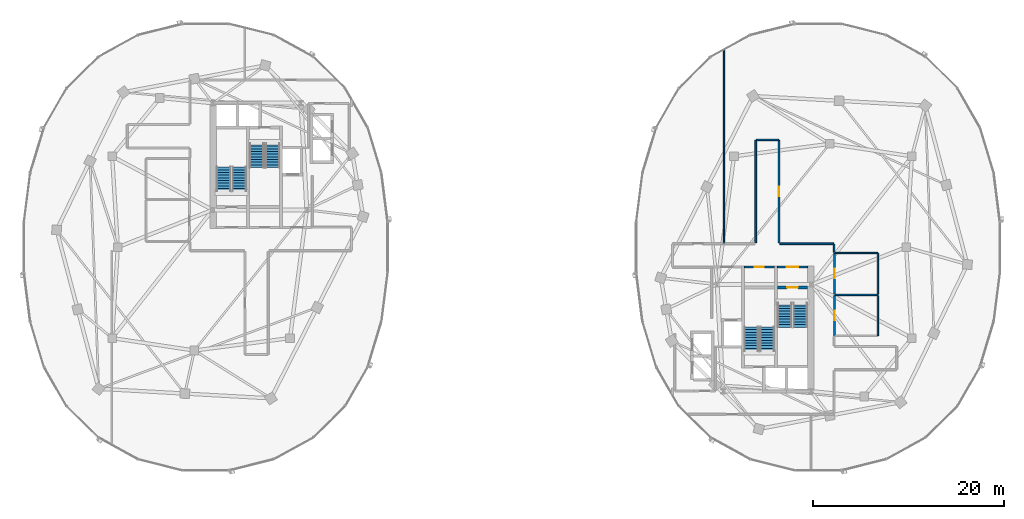
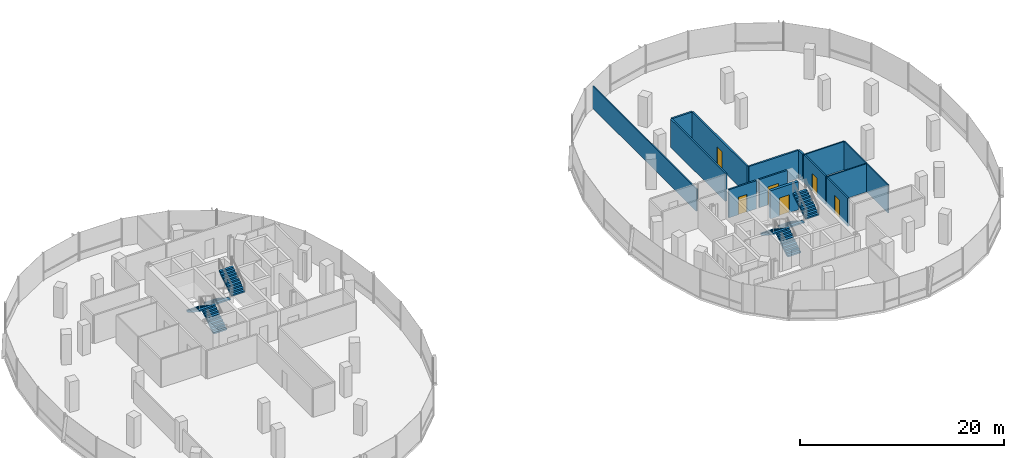
# One storey, part 14 of 21: 15 walls, 8 stair flights, 6 doors, 6 openings, 4 elements without a shape of their own.
"""IFC4 building model written with IfcOpenShell, lengths in metres."""

from ifc_helpers import new_model, si_unit, direction, frame, frame_2d, origin, place, context, subcontext, project, spatial, polyline, rectangle, outline, extrude, material, layer, layer_set, type_object, element, fill, aggregate, save


model = new_model("IFC4")

# Units and contexts
model_context = context("Model", 3, precision=1e-05, world=origin(), true_north=direction((0.0, 1.0)))
body_context = subcontext(model_context, "Body", "Model", "MODEL_VIEW")
ifc_project = project(units=[si_unit("LENGTHUNIT", "METRE"), si_unit("AREAUNIT", "SQUARE_METRE"), si_unit("VOLUMEUNIT", "CUBIC_METRE"), si_unit("PLANEANGLEUNIT", "RADIAN"), si_unit("MASSUNIT", "GRAM", prefix="KILO"), si_unit("THERMODYNAMICTEMPERATUREUNIT", "KELVIN"), si_unit("POWERUNIT", "WATT")], contexts=[model_context])

# Site, building, storey
site_placement = place(None, origin())
site = spatial("IfcSite", under=ifc_project, at=site_placement, CompositionType="ELEMENT")
building_placement = place(site_placement, origin())
building = spatial("IfcBuilding", under=site, at=building_placement, Name="Cundina Bronze Exchange", CompositionType="ELEMENT")
storey_placement = place(building_placement, frame((0.0, 0.0, 180.0)))
storey = spatial("IfcBuildingStorey", under=building, at=storey_placement, Name="L47", CompositionType="ELEMENT", Elevation=180.0)

# Wall, opening, door
ifc_material_1 = material(Name="Gypsum Fireboard Partition EI120")
ifc_layer_1 = layer(ifc_material_1, 0.179931640625, Name="Gypsum Fireboard Partition EI120")
ifc_layer_set_1 = layer_set([ifc_layer_1], Name="Gypsum Fireboard Partition EI120")
wall_type_1 = type_object("IfcWallType", Name="WL-COR-180", PredefinedType="PARTITIONING", material=ifc_layer_set_1)
wall_1_placement = place(storey_placement, frame((27.739990234375, -2.06005859375, 0.0), z_axis=(0.0, 0.0, 1.0), x_axis=(1.0, 0.0, 0.0)))
wall_1 = element("IfcWall", 1, at=wall_1_placement, inside=storey, type_object=wall_type_1, Name="L47 E Stair Vestibule Exit Wall", PredefinedType="PARTITIONING", context=body_context, shape_type="SweptSolid", body=[
    extrude(rectangle(XDim=3.159912109375, YDim=0.179931640625, at=frame_2d((1.580078125, 0.0))), origin(), (0.0, 0.0, 1.0), 3.360107421875),
])
opening_1_placement = place(wall_1_placement, frame((0.97998046875, 0.0, 0.0)))
opening_1 = element("IfcOpeningElement", 2, at=opening_1_placement, cuts=wall_1, Name="Opening DF-01", PredefinedType="OPENING", context=body_context, shape_type="SweptSolid", body=[
    extrude(rectangle(XDim=1.199951171875, YDim=2.14990234375, at=frame_2d((0.60009765625, 1.074951171875))), frame((0.0, 0.099853515625, 0.0), z_axis=(0.0, -1.0, 0.0), x_axis=(1.0, 0.0, 0.0)), (0.0, 0.0, 1.0), 0.199951171875),
])
ifc_material_2 = material(Name="Steel ASTM A36 Painted", Category="steel")
door_type_1 = type_object("IfcDoorType", Name="DR-FFL-1200", OperationType="NOTDEFINED", PredefinedType="DOOR", material=ifc_material_2)
door_1_placement = place(opening_1_placement, origin())
door_1 = element("IfcDoor", 3, at=door_1_placement, inside=storey, type_object=door_type_1, Name="L47 E Stair Vestibule Door", OperationType="SINGLE_SWING_RIGHT", OverallHeight=2.14990234375, OverallWidth=1.199951171875, PredefinedType="DOOR", context=body_context, shape_type="SweptSolid", body=[
    extrude(rectangle(XDim=1.199951171875, YDim=2.14990234375, at=frame_2d((0.60009765625, 1.074951171875))), frame((0.0, 0.02490234375, 0.0), z_axis=(0.0, -1.0, 0.0), x_axis=(1.0, 0.0, 0.0)), (0.0, 0.0, 1.0), 0.050048828125),
])
fill(opening_1, door_1)

wall_2_placement = place(storey_placement, frame((24.300048828125, -2.070068359375, 0.0), z_axis=(0.0, 0.0, 1.0), x_axis=(1.0, 0.0, 0.0)))
wall_2 = element("IfcWall", 4, at=wall_2_placement, inside=storey, type_object=wall_type_1, Name="L47 Interior Partition 037", PredefinedType="PARTITIONING", context=body_context, shape_type="SweptSolid", body=[
    extrude(rectangle(XDim=3.119873046875, YDim=0.179931640625, at=frame_2d((1.56005859375, 0.0))), origin(), (0.0, 0.0, 1.0), 3.360107421875),
])
opening_2_placement = place(wall_2_placement, frame((1.0849609375, 0.0, 0.0)))
opening_2 = element("IfcOpeningElement", 5, at=opening_2_placement, cuts=wall_2, Name="Opening DW-01", PredefinedType="OPENING", context=body_context, shape_type="SweptSolid", body=[
    extrude(rectangle(XDim=0.949951171875, YDim=2.10009765625, at=frame_2d((0.47509765625, 1.050048828125))), frame((0.0, 0.099853515625, 0.0), z_axis=(0.0, -1.0, 0.0), x_axis=(1.0, 0.0, 0.0)), (0.0, 0.0, 1.0), 0.199951171875),
])
ifc_material_3 = material(Name="Solid Andean Oak Timber Grade A", Category="wood")
door_type_2 = type_object("IfcDoorType", Name="DR-WC-950", OperationType="NOTDEFINED", PredefinedType="DOOR", material=ifc_material_3)
door_2_placement = place(opening_2_placement, origin())
door_2 = element("IfcDoor", 6, at=door_2_placement, inside=storey, type_object=door_type_2, Name="L47 Interior Door 037", OperationType="SINGLE_SWING_LEFT", OverallHeight=2.10009765625, OverallWidth=0.949951171875, PredefinedType="DOOR", context=body_context, shape_type="SweptSolid", body=[
    extrude(rectangle(XDim=0.949951171875, YDim=2.10009765625, at=frame_2d((0.47509765625, 1.050048828125))), frame((0.0, 0.02490234375, 0.0), z_axis=(0.0, -1.0, 0.0), x_axis=(1.0, 0.0, 0.0)), (0.0, 0.0, 1.0), 0.050048828125),
])
fill(opening_2, door_2)

wall_3_placement = place(storey_placement, frame((33.719970703125, -4.8798828125, 0.0), z_axis=(0.0, 0.0, 1.0), x_axis=(0.0, 1.0, 0.0)))
wall_3 = element("IfcWall", 7, at=wall_3_placement, inside=storey, type_object=wall_type_1, Name="L47 Interior Partition 043", PredefinedType="PARTITIONING", context=body_context, shape_type="SweptSolid", body=[
    extrude(rectangle(XDim=4.259765625, YDim=0.179931640625, at=frame_2d((2.1298828125, 0.0))), origin(), (0.0, 0.0, 1.0), 3.360107421875),
])
opening_3_placement = place(wall_3_placement, frame((1.655029296875, 0.0, 0.0)))
opening_3 = element("IfcOpeningElement", 8, at=opening_3_placement, cuts=wall_3, Name="Opening DW-01", PredefinedType="OPENING", context=body_context, shape_type="SweptSolid", body=[
    extrude(rectangle(XDim=0.949951171875, YDim=2.10009765625, at=frame_2d((0.47509765625, 1.050048828125))), frame((0.0, 0.099853515625, 0.0), z_axis=(0.0, -1.0, 0.0), x_axis=(1.0, 0.0, 0.0)), (0.0, 0.0, 1.0), 0.199951171875),
])
door_3_placement = place(opening_3_placement, origin())
door_3 = element("IfcDoor", 9, at=door_3_placement, inside=storey, type_object=door_type_2, Name="L47 Interior Door 043", OperationType="SINGLE_SWING_LEFT", OverallHeight=2.10009765625, OverallWidth=0.949951171875, PredefinedType="DOOR", context=body_context, shape_type="SweptSolid", body=[
    extrude(rectangle(XDim=0.949951171875, YDim=2.10009765625, at=frame_2d((0.47509765625, 1.050048828125))), frame((0.0, 0.02490234375, 0.0), z_axis=(0.0, -1.0, 0.0), x_axis=(1.0, 0.0, 0.0)), (0.0, 0.0, 1.0), 0.050048828125),
])
fill(opening_3, door_3)

wall_4_placement = place(storey_placement, frame((33.719970703125, -9.239990234375, 0.0), z_axis=(0.0, 0.0, 1.0), x_axis=(0.0, 1.0, 0.0)))
wall_4 = element("IfcWall", 10, at=wall_4_placement, inside=storey, type_object=wall_type_1, Name="L47 Interior Partition 044", PredefinedType="PARTITIONING", context=body_context, shape_type="SweptSolid", body=[
    extrude(rectangle(XDim=4.159912109375, YDim=0.179931640625, at=frame_2d((2.080078125, 0.0))), origin(), (0.0, 0.0, 1.0), 3.360107421875),
])
opening_4_placement = place(wall_4_placement, frame((1.580078125, 0.0, 0.0)))
opening_4 = element("IfcOpeningElement", 11, at=opening_4_placement, cuts=wall_4, Name="Opening DO-01", PredefinedType="OPENING", context=body_context, shape_type="SweptSolid", body=[
    extrude(rectangle(XDim=1.0, YDim=2.14990234375, at=frame_2d((0.5, 1.074951171875))), frame((0.0, 0.099853515625, 0.0), z_axis=(0.0, -1.0, 0.0), x_axis=(1.0, 0.0, 0.0)), (0.0, 0.0, 1.0), 0.199951171875),
])
door_type_3 = type_object("IfcDoorType", Name="DR-OFF-1000", OperationType="NOTDEFINED", PredefinedType="DOOR", material=ifc_material_3)
door_4_placement = place(opening_4_placement, origin())
door_4 = element("IfcDoor", 12, at=door_4_placement, inside=storey, type_object=door_type_3, Name="L47 Interior Door 044", OperationType="SINGLE_SWING_LEFT", OverallHeight=2.14990234375, OverallWidth=1.0, PredefinedType="DOOR", context=body_context, shape_type="SweptSolid", body=[
    extrude(rectangle(XDim=1.0, YDim=2.14990234375, at=frame_2d((0.5, 1.074951171875))), frame((0.0, 0.02490234375, 0.0), z_axis=(0.0, -1.0, 0.0), x_axis=(1.0, 0.0, 0.0)), (0.0, 0.0, 1.0), 0.050048828125),
])
fill(opening_4, door_4)

wall_5_placement = place(storey_placement, frame((27.919921875, 0.449951171875, 0.0), z_axis=(0.0, 0.0, 1.0), x_axis=(0.0, 1.0, 0.0)))
wall_5 = element("IfcWall", 13, at=wall_5_placement, inside=storey, type_object=wall_type_1, Name="L47 Interior Partition 052", PredefinedType="PARTITIONING", context=body_context, shape_type="SweptSolid", body=[
    extrude(rectangle(XDim=10.728515625, YDim=0.179931640625, at=frame_2d((5.3642578125, 0.0))), origin(), (0.0, 0.0, 1.0), 3.360107421875),
])
opening_5_placement = place(wall_5_placement, frame((4.8642578125, 0.0, 0.0)))
opening_5 = element("IfcOpeningElement", 14, at=opening_5_placement, cuts=wall_5, Name="Opening DO-01", PredefinedType="OPENING", context=body_context, shape_type="SweptSolid", body=[
    extrude(rectangle(XDim=1.0, YDim=2.14990234375, at=frame_2d((0.5, 1.074951171875))), frame((0.0, 0.099853515625, 0.0), z_axis=(0.0, -1.0, 0.0), x_axis=(1.0, 0.0, 0.0)), (0.0, 0.0, 1.0), 0.199951171875),
])
door_5_placement = place(opening_5_placement, origin())
door_5 = element("IfcDoor", 15, at=door_5_placement, inside=storey, type_object=door_type_3, Name="L47 Interior Door 052", OperationType="SINGLE_SWING_LEFT", OverallHeight=2.14990234375, OverallWidth=1.0, PredefinedType="DOOR", context=body_context, shape_type="SweptSolid", body=[
    extrude(rectangle(XDim=1.0, YDim=2.14990234375, at=frame_2d((0.5, 1.074951171875))), frame((0.0, 0.02490234375, 0.0), z_axis=(0.0, -1.0, 0.0), x_axis=(1.0, 0.0, 0.0)), (0.0, 0.0, 1.0), 0.050048828125),
])
fill(opening_5, door_5)

# Walls
wall_6_placement = place(storey_placement, frame((25.47998046875, 11.178466796875, 0.0), z_axis=(0.0, 0.0, 1.0), x_axis=(0.0, -1.0, 0.0)))
element("IfcWall", 16, at=wall_6_placement, inside=storey, type_object=wall_type_1, Name="L47 Interior Partition 053", PredefinedType="PARTITIONING", context=body_context, shape_type="SweptSolid", body=[
    extrude(rectangle(XDim=10.728515625, YDim=0.179931640625, at=frame_2d((5.3642578125, 0.0))), origin(), (0.0, 0.0, 1.0), 3.360107421875),
])
wall_7_placement = place(storey_placement, frame((33.62841796875, 0.3701171875, 0.0), z_axis=(0.0, 0.0, 1.0), x_axis=(-1.0, 0.0, 0.0)))
element("IfcWall", 17, at=wall_7_placement, inside=storey, type_object=wall_type_1, Name="L47 Interior Partition 056", PredefinedType="PARTITIONING", context=body_context, shape_type="SweptSolid", body=[
    extrude(rectangle(XDim=5.62841796875, YDim=0.179931640625, at=frame_2d((2.814208984375, 0.0))), origin(), (0.0, 0.0, 1.0), 3.360107421875),
])
wall_8_placement = place(storey_placement, frame((27.87841796875, 11.219970703125, 0.0), z_axis=(0.0, 0.0, 1.0), x_axis=(-1.0, 0.0, 0.0)))
element("IfcWall", 18, at=wall_8_placement, inside=storey, type_object=wall_type_1, Name="L47 Interior Partition 059", PredefinedType="PARTITIONING", context=body_context, shape_type="SweptSolid", body=[
    extrude(rectangle(XDim=2.35693359375, YDim=0.179931640625, at=frame_2d((1.178466796875, 0.0))), origin(), (0.0, 0.0, 1.0), 3.360107421875),
])
wall_9_placement = place(storey_placement, frame((33.669921875, -0.508544921875, 0.0), z_axis=(0.0, 0.0, 1.0), x_axis=(0.0, 1.0, 0.0)))
element("IfcWall", 19, at=wall_9_placement, inside=storey, type_object=wall_type_1, Name="L47 Interior Partition 063", PredefinedType="PARTITIONING", context=body_context, shape_type="SweptSolid", body=[
    extrude(rectangle(XDim=0.837158203125, YDim=0.179931640625, at=frame_2d((0.41845703125, 0.0))), origin(), (0.0, 0.0, 1.0), 3.360107421875),
])
ifc_material_4 = material(Name="Gypsum Acoustic Partition EI60")
ifc_layer_2 = layer(ifc_material_4, 0.125, Name="Gypsum Acoustic Partition EI60")
ifc_layer_set_2 = layer_set([ifc_layer_2], Name="Gypsum Acoustic Partition EI60")
wall_type_2 = type_object("IfcWallType", Name="WL-OFF-125", PredefinedType="PARTITIONING", material=ifc_layer_set_2)
wall_10_placement = place(storey_placement, frame((22.169921875, 0.39990234375, 0.0), z_axis=(0.0, 0.0, 1.0), x_axis=(0.0, 1.0, 0.0)))
element("IfcWall", 20, at=wall_10_placement, inside=storey, type_object=wall_type_2, Name="L47 Interior Partition 045", PredefinedType="PARTITIONING", context=body_context, shape_type="SweptSolid", body=[
    extrude(rectangle(XDim=20.341552734375, YDim=0.125, at=frame_2d((10.1708984375, 0.0))), origin(), (0.0, 0.0, 1.0), 2.6650390625),
])

# Wall, opening, door
ifc_material_5 = material(Name="Concrete C50/60", Category="concrete")
ifc_layer_3 = layer(ifc_material_5, 0.300048828125, Name="Concrete C50/60", Category="concrete")
ifc_layer_set_3 = layer_set([ifc_layer_3], Name="Concrete C50/60")
wall_type_3 = type_object("IfcWallType", Name="WL-SHFT-300", PredefinedType="SHEAR", material=ifc_layer_set_3)
wall_11_placement = place(storey_placement, frame((27.739990234375, -4.199951171875, 0.0), z_axis=(0.0, 0.0, 1.0), x_axis=(1.0, 0.0, 0.0)))
wall_11 = element("IfcWall", 21, at=wall_11_placement, inside=storey, type_object=wall_type_3, Name="L47 Stair E1 Landing Wall", PredefinedType="SHEAR", context=body_context, shape_type="SweptSolid", body=[
    extrude(rectangle(XDim=3.159912109375, YDim=0.300048828125, at=frame_2d((1.580078125, 0.0))), origin(), (0.0, 0.0, 1.0), 3.360107421875),
])
opening_6_placement = place(wall_11_placement, frame((1.030029296875, 0.0, 0.0)))
opening_6 = element("IfcOpeningElement", 22, at=opening_6_placement, cuts=wall_11, Name="Opening DS-01", PredefinedType="OPENING", context=body_context, shape_type="SweptSolid", body=[
    extrude(rectangle(XDim=1.10009765625, YDim=2.14990234375, at=frame_2d((0.550048828125, 1.074951171875))), frame((0.0, 0.159912109375, 0.0), z_axis=(0.0, -1.0, 0.0), x_axis=(1.0, 0.0, 0.0)), (0.0, 0.0, 1.0), 0.320068359375),
])
door_type_4 = type_object("IfcDoorType", Name="DR-STR-1100", OperationType="NOTDEFINED", PredefinedType="DOOR", material=ifc_material_2)
door_6_placement = place(opening_6_placement, origin())
door_6 = element("IfcDoor", 23, at=door_6_placement, inside=storey, type_object=door_type_4, Name="L47 Smokeproof Stair E1 Door", OperationType="SINGLE_SWING_LEFT", OverallHeight=2.14990234375, OverallWidth=1.10009765625, PredefinedType="DOOR", context=body_context, shape_type="SweptSolid", body=[
    extrude(rectangle(XDim=1.10009765625, YDim=2.14990234375, at=frame_2d((0.550048828125, 1.074951171875))), frame((0.0, 0.02490234375, 0.0), z_axis=(0.0, -1.0, 0.0), x_axis=(1.0, 0.0, 0.0)), (0.0, 0.0, 1.0), 0.050048828125),
])
fill(opening_6, door_6)

# Walls
ifc_material_6 = material(Name="Moisture-Resistant Masonry Block Grade M15", Category="masonry")
ifc_layer_4 = layer(ifc_material_6, 0.139892578125, Name="Moisture-Resistant Masonry Block Grade M15", Category="masonry")
ifc_layer_set_4 = layer_set([ifc_layer_4], Name="Moisture-Resistant Masonry Block Grade M15")
wall_type_4 = type_object("IfcWallType", Name="WL-WET-140", PredefinedType="PARTITIONING", material=ifc_layer_set_4)
wall_12_placement = place(storey_placement, frame((38.239990234375, -9.239990234375, 0.0), z_axis=(0.0, 0.0, 1.0), x_axis=(0.0, 1.0, 0.0)))
element("IfcWall", 24, at=wall_12_placement, inside=storey, type_object=wall_type_4, Name="L47 Interior Partition 038", PredefinedType="PARTITIONING", context=body_context, shape_type="SweptSolid", body=[
    extrude(rectangle(XDim=4.175048828125, YDim=0.139892578125, at=frame_2d((2.08740234375, 0.0))), origin(), (0.0, 0.0, 1.0), 3.360107421875),
])
wall_13_placement = place(storey_placement, frame((38.239990234375, -4.89501953125, 0.0), z_axis=(0.0, 0.0, 1.0), x_axis=(0.0, 1.0, 0.0)))
element("IfcWall", 25, at=wall_13_placement, inside=storey, type_object=wall_type_4, Name="L47 Interior Partition 039", PredefinedType="PARTITIONING", context=body_context, shape_type="SweptSolid", body=[
    extrude(rectangle(XDim=4.27490234375, YDim=0.139892578125, at=frame_2d((2.137451171875, 0.0))), origin(), (0.0, 0.0, 1.0), 3.360107421875),
])
for number, where, z_axis, x_axis, name in (
    (26, (33.739990234375, -0.60009765625, 0.0), (0.0, 0.0, 1.0), (1.0, 0.0, 0.0), "L47 Interior Partition 040"),
    (27, (33.739990234375, -4.97998046875, 0.0), (0.0, 0.0, 1.0), (1.0, 0.0, 0.0), "L47 Interior Partition 041"),
):
    element("IfcWall", number, at=place(storey_placement, frame(where, z_axis=z_axis, x_axis=x_axis)), inside=storey, type_object=wall_type_4, Name=name, PredefinedType="PARTITIONING", context=body_context, shape_type="SweptSolid", body=[
        extrude(rectangle(XDim=4.47998046875, YDim=0.139892578125, at=frame_2d((2.239990234375, 0.0))), origin(), (0.0, 0.0, 1.0), 3.360107421875),
    ])

# Stair, stair flights
ifc_material_7 = material(Name="Concrete C40/50", Category="concrete")
stair_type = type_object("IfcStairType", Name="STR-OFF-360", PredefinedType="HALF_TURN_STAIR", material=ifc_material_7)
stair_1_placement = place(storey_placement, origin())
stair_1 = element("IfcStair", 28, at=stair_1_placement, inside=storey, type_object=stair_type, Name="L47 Smokeproof Exit Stair W1", PredefinedType="HALF_TURN_STAIR")
stair_flight_type = type_object("IfcStairFlightType", Name="FLG-OFF-180", PredefinedType="STRAIGHT", material=ifc_material_7)
stair_flight_1_placement = place(storey_placement, frame((-28.489990234375, 5.85009765625, 0.0), z_axis=(0.0, 0.0, 1.0), x_axis=(0.0, 1.0, 0.0)))
stair_flight_1 = element("IfcStairFlight", 29, at=stair_flight_1_placement, type_object=stair_flight_type, Name="ST-W1 flight 1", NumberOfRisers=10, NumberOfTreads=9, PredefinedType="STRAIGHT", RiserHeight=0.18, TreadLength=0.28, context=body_context, shape_type="SweptSolid", body=[
    extrude(outline(polyline([(0.0, 0.0), (0.0, 0.179931640625), (0.280029296875, 0.179931640625), (0.280029296875, 0.360107421875), (0.56005859375, 0.360107421875), (0.56005859375, 0.5400390625), (0.840087890625, 0.5400390625), (0.840087890625, 0.719970703125), (1.1201171875, 0.719970703125), (1.1201171875, 0.89990234375), (1.39990234375, 0.89990234375), (1.39990234375, 1.080078125), (1.679931640625, 1.080078125), (1.679931640625, 1.260009765625), (1.9599609375, 1.260009765625), (1.9599609375, 1.43994140625), (2.239990234375, 1.43994140625), (2.239990234375, 1.6201171875), (2.52001953125, 1.6201171875), (2.52001953125, 1.800048828125), (2.52001953125, 1.44189453125), (0.277099609375, 0.0), (0.0, 0.0)])), frame((0.0, 0.75, 0.0), z_axis=(0.0, -1.0, 0.0), x_axis=(1.0, 0.0, 0.0)), (0.0, 0.0, 1.0), 1.5),
])
stair_flight_2_placement = place(storey_placement, frame((-30.14990234375, 8.3701171875, 1.800048828125), z_axis=(0.0, 0.0, 1.0), x_axis=(0.0, -1.0, 0.0)))
stair_flight_2 = element("IfcStairFlight", 30, at=stair_flight_2_placement, type_object=stair_flight_type, Name="ST-W1 flight 2", NumberOfRisers=10, NumberOfTreads=9, PredefinedType="STRAIGHT", RiserHeight=0.18, TreadLength=0.28, context=body_context, shape_type="SweptSolid", body=[
    extrude(outline(polyline([(0.0, 0.0), (0.0, 0.179931640625), (0.280029296875, 0.179931640625), (0.280029296875, 0.360107421875), (0.56005859375, 0.360107421875), (0.56005859375, 0.5400390625), (0.840087890625, 0.5400390625), (0.840087890625, 0.719970703125), (1.1201171875, 0.719970703125), (1.1201171875, 0.89990234375), (1.39990234375, 0.89990234375), (1.39990234375, 1.080078125), (1.679931640625, 1.080078125), (1.679931640625, 1.260009765625), (1.9599609375, 1.260009765625), (1.9599609375, 1.43994140625), (2.239990234375, 1.43994140625), (2.239990234375, 1.6201171875), (2.52001953125, 1.6201171875), (2.52001953125, 1.800048828125), (2.52001953125, 1.44189453125), (0.277099609375, 0.0), (0.0, 0.0)])), frame((0.0, 0.75, 0.0), z_axis=(0.0, -1.0, 0.0), x_axis=(1.0, 0.0, 0.0)), (0.0, 0.0, 1.0), 1.5),
])
aggregate(stair_1, [stair_flight_1, stair_flight_2])

stair_2_placement = place(storey_placement, origin())
stair_2 = element("IfcStair", 31, at=stair_2_placement, inside=storey, type_object=stair_type, Name="L47 Smokeproof Exit Stair W2", PredefinedType="HALF_TURN_STAIR")
stair_flight_3_placement = place(storey_placement, frame((-26.68994140625, 10.85009765625, 0.0), z_axis=(0.0, 0.0, 1.0), x_axis=(0.0, -1.0, 0.0)))
stair_flight_3 = element("IfcStairFlight", 32, at=stair_flight_3_placement, type_object=stair_flight_type, Name="ST-W2 flight 1", NumberOfRisers=10, NumberOfTreads=9, PredefinedType="STRAIGHT", RiserHeight=0.18, TreadLength=0.28, context=body_context, shape_type="SweptSolid", body=[
    extrude(outline(polyline([(0.0, 0.0), (0.0, 0.179931640625), (0.280029296875, 0.179931640625), (0.280029296875, 0.360107421875), (0.56005859375, 0.360107421875), (0.56005859375, 0.5400390625), (0.840087890625, 0.5400390625), (0.840087890625, 0.719970703125), (1.1201171875, 0.719970703125), (1.1201171875, 0.89990234375), (1.39990234375, 0.89990234375), (1.39990234375, 1.080078125), (1.679931640625, 1.080078125), (1.679931640625, 1.260009765625), (1.9599609375, 1.260009765625), (1.9599609375, 1.43994140625), (2.239990234375, 1.43994140625), (2.239990234375, 1.6201171875), (2.52001953125, 1.6201171875), (2.52001953125, 1.800048828125), (2.52001953125, 1.44189453125), (0.277099609375, 0.0), (0.0, 0.0)])), frame((0.0, 0.75, 0.0), z_axis=(0.0, -1.0, 0.0), x_axis=(1.0, 0.0, 0.0)), (0.0, 0.0, 1.0), 1.5),
])
stair_flight_4_placement = place(storey_placement, frame((-25.030029296875, 8.330078125, 1.800048828125), z_axis=(0.0, 0.0, 1.0), x_axis=(0.0, 1.0, 0.0)))
stair_flight_4 = element("IfcStairFlight", 33, at=stair_flight_4_placement, type_object=stair_flight_type, Name="ST-W2 flight 2", NumberOfRisers=10, NumberOfTreads=9, PredefinedType="STRAIGHT", RiserHeight=0.18, TreadLength=0.28, context=body_context, shape_type="SweptSolid", body=[
    extrude(outline(polyline([(0.0, 0.0), (0.0, 0.179931640625), (0.280029296875, 0.179931640625), (0.280029296875, 0.360107421875), (0.56005859375, 0.360107421875), (0.56005859375, 0.5400390625), (0.840087890625, 0.5400390625), (0.840087890625, 0.719970703125), (1.1201171875, 0.719970703125), (1.1201171875, 0.89990234375), (1.39990234375, 0.89990234375), (1.39990234375, 1.080078125), (1.679931640625, 1.080078125), (1.679931640625, 1.260009765625), (1.9599609375, 1.260009765625), (1.9599609375, 1.43994140625), (2.239990234375, 1.43994140625), (2.239990234375, 1.6201171875), (2.52001953125, 1.6201171875), (2.52001953125, 1.800048828125), (2.52001953125, 1.44189453125), (0.277099609375, 0.0), (0.0, 0.0)])), frame((0.0, 0.75, 0.0), z_axis=(0.0, -1.0, 0.0), x_axis=(1.0, 0.0, 0.0)), (0.0, 0.0, 1.0), 1.5),
])
aggregate(stair_2, [stair_flight_3, stair_flight_4])

stair_3_placement = place(storey_placement, origin())
stair_3 = element("IfcStair", 34, at=stair_3_placement, inside=storey, type_object=stair_type, Name="L47 Smokeproof Exit Stair E1", PredefinedType="HALF_TURN_STAIR")
stair_flight_5_placement = place(storey_placement, frame((28.489990234375, -5.85009765625, 0.0), z_axis=(0.0, 0.0, 1.0), x_axis=(0.0, -1.0, 0.0)))
stair_flight_5 = element("IfcStairFlight", 35, at=stair_flight_5_placement, type_object=stair_flight_type, Name="ST-E1 flight 1", NumberOfRisers=10, NumberOfTreads=9, PredefinedType="STRAIGHT", RiserHeight=0.18, TreadLength=0.28, context=body_context, shape_type="SweptSolid", body=[
    extrude(outline(polyline([(0.0, 0.0), (0.0, 0.179931640625), (0.280029296875, 0.179931640625), (0.280029296875, 0.360107421875), (0.56005859375, 0.360107421875), (0.56005859375, 0.5400390625), (0.840087890625, 0.5400390625), (0.840087890625, 0.719970703125), (1.1201171875, 0.719970703125), (1.1201171875, 0.89990234375), (1.39990234375, 0.89990234375), (1.39990234375, 1.080078125), (1.679931640625, 1.080078125), (1.679931640625, 1.260009765625), (1.9599609375, 1.260009765625), (1.9599609375, 1.43994140625), (2.239990234375, 1.43994140625), (2.239990234375, 1.6201171875), (2.52001953125, 1.6201171875), (2.52001953125, 1.800048828125), (2.52001953125, 1.44189453125), (0.277099609375, 0.0), (0.0, 0.0)])), frame((0.0, 0.75, 0.0), z_axis=(0.0, -1.0, 0.0), x_axis=(1.0, 0.0, 0.0)), (0.0, 0.0, 1.0), 1.5),
])
stair_flight_6_placement = place(storey_placement, frame((30.14990234375, -8.3701171875, 1.800048828125), z_axis=(0.0, 0.0, 1.0), x_axis=(0.0, 1.0, 0.0)))
stair_flight_6 = element("IfcStairFlight", 36, at=stair_flight_6_placement, type_object=stair_flight_type, Name="ST-E1 flight 2", NumberOfRisers=10, NumberOfTreads=9, PredefinedType="STRAIGHT", RiserHeight=0.18, TreadLength=0.28, context=body_context, shape_type="SweptSolid", body=[
    extrude(outline(polyline([(0.0, 0.0), (0.0, 0.179931640625), (0.280029296875, 0.179931640625), (0.280029296875, 0.360107421875), (0.56005859375, 0.360107421875), (0.56005859375, 0.5400390625), (0.840087890625, 0.5400390625), (0.840087890625, 0.719970703125), (1.1201171875, 0.719970703125), (1.1201171875, 0.89990234375), (1.39990234375, 0.89990234375), (1.39990234375, 1.080078125), (1.679931640625, 1.080078125), (1.679931640625, 1.260009765625), (1.9599609375, 1.260009765625), (1.9599609375, 1.43994140625), (2.239990234375, 1.43994140625), (2.239990234375, 1.6201171875), (2.52001953125, 1.6201171875), (2.52001953125, 1.800048828125), (2.52001953125, 1.44189453125), (0.277099609375, 0.0), (0.0, 0.0)])), frame((0.0, 0.75, 0.0), z_axis=(0.0, -1.0, 0.0), x_axis=(1.0, 0.0, 0.0)), (0.0, 0.0, 1.0), 1.5),
])
aggregate(stair_3, [stair_flight_5, stair_flight_6])

stair_4_placement = place(storey_placement, origin())
stair_4 = element("IfcStair", 37, at=stair_4_placement, inside=storey, type_object=stair_type, Name="L47 Smokeproof Exit Stair E2", PredefinedType="HALF_TURN_STAIR")
stair_flight_7_placement = place(storey_placement, frame((26.68994140625, -10.85009765625, 0.0), z_axis=(0.0, 0.0, 1.0), x_axis=(0.0, 1.0, 0.0)))
stair_flight_7 = element("IfcStairFlight", 38, at=stair_flight_7_placement, type_object=stair_flight_type, Name="ST-E2 flight 1", NumberOfRisers=10, NumberOfTreads=9, PredefinedType="STRAIGHT", RiserHeight=0.18, TreadLength=0.28, context=body_context, shape_type="SweptSolid", body=[
    extrude(outline(polyline([(0.0, 0.0), (0.0, 0.179931640625), (0.280029296875, 0.179931640625), (0.280029296875, 0.360107421875), (0.56005859375, 0.360107421875), (0.56005859375, 0.5400390625), (0.840087890625, 0.5400390625), (0.840087890625, 0.719970703125), (1.1201171875, 0.719970703125), (1.1201171875, 0.89990234375), (1.39990234375, 0.89990234375), (1.39990234375, 1.080078125), (1.679931640625, 1.080078125), (1.679931640625, 1.260009765625), (1.9599609375, 1.260009765625), (1.9599609375, 1.43994140625), (2.239990234375, 1.43994140625), (2.239990234375, 1.6201171875), (2.52001953125, 1.6201171875), (2.52001953125, 1.800048828125), (2.52001953125, 1.44189453125), (0.277099609375, 0.0), (0.0, 0.0)])), frame((0.0, 0.75, 0.0), z_axis=(0.0, -1.0, 0.0), x_axis=(1.0, 0.0, 0.0)), (0.0, 0.0, 1.0), 1.5),
])
stair_flight_8_placement = place(storey_placement, frame((25.030029296875, -8.330078125, 1.800048828125), z_axis=(0.0, 0.0, 1.0), x_axis=(0.0, -1.0, 0.0)))
stair_flight_8 = element("IfcStairFlight", 39, at=stair_flight_8_placement, type_object=stair_flight_type, Name="ST-E2 flight 2", NumberOfRisers=10, NumberOfTreads=9, PredefinedType="STRAIGHT", RiserHeight=0.18, TreadLength=0.28, context=body_context, shape_type="SweptSolid", body=[
    extrude(outline(polyline([(0.0, 0.0), (0.0, 0.179931640625), (0.280029296875, 0.179931640625), (0.280029296875, 0.360107421875), (0.56005859375, 0.360107421875), (0.56005859375, 0.5400390625), (0.840087890625, 0.5400390625), (0.840087890625, 0.719970703125), (1.1201171875, 0.719970703125), (1.1201171875, 0.89990234375), (1.39990234375, 0.89990234375), (1.39990234375, 1.080078125), (1.679931640625, 1.080078125), (1.679931640625, 1.260009765625), (1.9599609375, 1.260009765625), (1.9599609375, 1.43994140625), (2.239990234375, 1.43994140625), (2.239990234375, 1.6201171875), (2.52001953125, 1.6201171875), (2.52001953125, 1.800048828125), (2.52001953125, 1.44189453125), (0.277099609375, 0.0), (0.0, 0.0)])), frame((0.0, 0.75, 0.0), z_axis=(0.0, -1.0, 0.0), x_axis=(1.0, 0.0, 0.0)), (0.0, 0.0, 1.0), 1.5),
])
aggregate(stair_4, [stair_flight_7, stair_flight_8])

save(model, "model.ifc")
